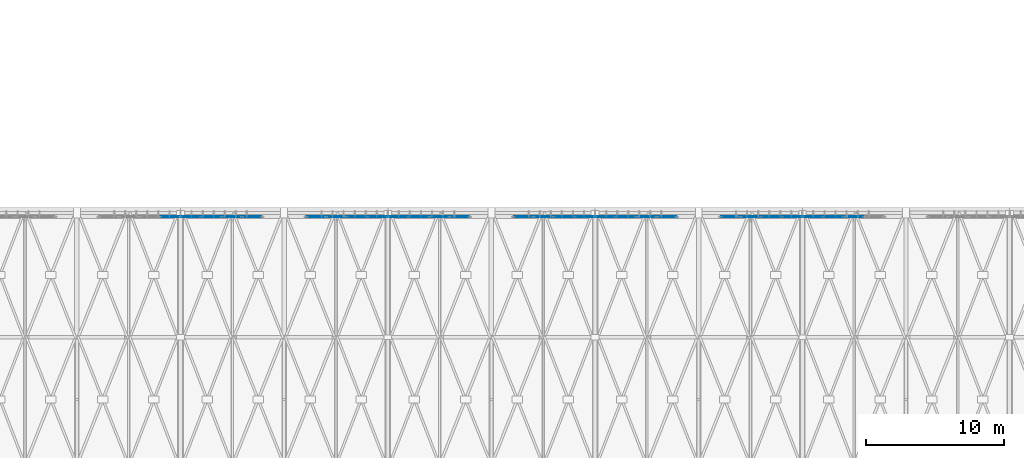
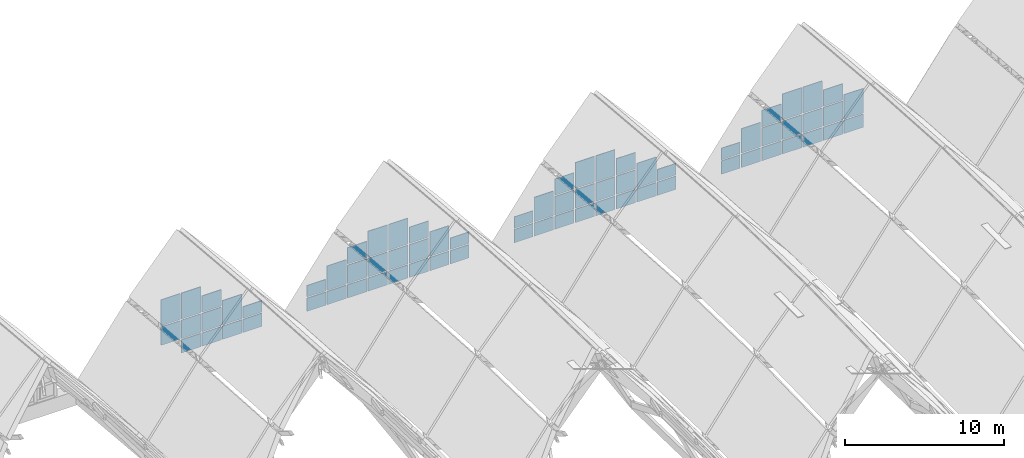
# One storey, part 63 of 93: 70 plates, 4 elements without a shape of their own.
"""IFC4 building model written with IfcOpenShell, lengths in metres."""

from ifc_helpers import new_model, si_unit, direction, frame, origin, origin_2d, place, context, subcontext, project, spatial, rectangle, extrude, material, layer, layer_set, type_object, element, aggregate, save


model = new_model("IFC4")

# Units and contexts
model_context = context("Model", 3, precision=1e-05, world=origin(), true_north=direction((0.0, 1.0)))
body_context = subcontext(model_context, "Body", "Model", "MODEL_VIEW")
ifc_project = project(units=[si_unit("LENGTHUNIT", "METRE"), si_unit("AREAUNIT", "SQUARE_METRE"), si_unit("VOLUMEUNIT", "CUBIC_METRE"), si_unit("PLANEANGLEUNIT", "RADIAN"), si_unit("MASSUNIT", "GRAM", prefix="KILO")], contexts=[model_context])

# Site, building, storey
site_placement = place(None, origin())
site = spatial("IfcSite", under=ifc_project, at=site_placement, CompositionType="ELEMENT")
building_placement = place(site_placement, origin())
building = spatial("IfcBuilding", under=site, at=building_placement, Name="Vourika Railside Aquatics Centre", CompositionType="ELEMENT")
storey_placement = place(building_placement, frame((0.0, 0.0, 21.89990234375)))
storey = spatial("IfcBuildingStorey", under=building, at=storey_placement, Name="Roof", CompositionType="ELEMENT", Elevation=21.89990234375)

# Curtain wall, plates
ifc_material_1 = material(Name="Anodized thermally broken aluminium", Category="aluminium")
curtain_wall_type_1 = type_object("IfcCurtainWallType", Name="CW-VLTN1", PredefinedType="NOTDEFINED", material=ifc_material_1)
curtain_wall_1_placement = place(storey_placement, origin())
curtain_wall_1 = element("IfcCurtainWall", 1, at=curtain_wall_1_placement, inside=storey, type_object=curtain_wall_type_1, Name="North Courtyard Pointed-Arch Curtain Wall Bay 6", PredefinedType="NOTDEFINED")
ifc_material_2 = material(Name="Low-E solar-control laminated double glazing", Category="glass")
ifc_layer_1 = layer(ifc_material_2, 0.048095703125, Name="CWP-VLTN1")
ifc_layer_set_1 = layer_set([ifc_layer_1], Name="Low-E solar-control laminated double glazing")
plate_type_1 = type_object("IfcPlateType", Name="CWP-VLTN1", PredefinedType="CURTAIN_PANEL", material=ifc_layer_set_1)
plate_1_placement = place(storey_placement, frame((122.21875, 65.719970703125, -11.014892578125), z_axis=(0.0, 0.0, 1.0), x_axis=(-1.0, 0.0, 0.0)))
plate_1 = element("IfcPlate", 2, at=plate_1_placement, type_object=plate_type_1, Name="CW01 glazed panel 2.1", PredefinedType="CURTAIN_PANEL", context=body_context, shape_type="SweptSolid", body=[
    extrude(rectangle(XDim=1.402587890625, YDim=0.048095703125, at=origin_2d()), origin(), (0.0, 0.0, 1.0), 1.0224609375),
])
plate_2_placement = place(storey_placement, frame((122.21875, 65.719970703125, -9.907470703125), z_axis=(0.0, 0.0, 1.0), x_axis=(-1.0, 0.0, 0.0)))
plate_2 = element("IfcPlate", 3, at=plate_2_placement, type_object=plate_type_1, Name="CW01 glazed panel 2.2", PredefinedType="CURTAIN_PANEL", context=body_context, shape_type="SweptSolid", body=[
    extrude(rectangle(XDim=1.402587890625, YDim=0.048095703125, at=origin_2d()), origin(), (0.0, 0.0, 1.0), 1.87548828125),
])
plate_3_placement = place(storey_placement, frame((120.731201171875, 65.719970703125, -11.014892578125), z_axis=(0.0, 0.0, 1.0), x_axis=(-1.0, 0.0, 0.0)))
plate_3 = element("IfcPlate", 4, at=plate_3_placement, type_object=plate_type_1, Name="CW01 glazed panel 3.1", PredefinedType="CURTAIN_PANEL", context=body_context, shape_type="SweptSolid", body=[
    extrude(rectangle(XDim=1.402587890625, YDim=0.048095703125, at=origin_2d()), origin(), (0.0, 0.0, 1.0), 1.0224609375),
])
plate_4_placement = place(storey_placement, frame((120.731201171875, 65.719970703125, -9.907470703125), z_axis=(0.0, 0.0, 1.0), x_axis=(-1.0, 0.0, 0.0)))
plate_4 = element("IfcPlate", 5, at=plate_4_placement, type_object=plate_type_1, Name="CW01 glazed panel 3.2", PredefinedType="CURTAIN_PANEL", context=body_context, shape_type="SweptSolid", body=[
    extrude(rectangle(XDim=1.402587890625, YDim=0.048095703125, at=origin_2d()), origin(), (0.0, 0.0, 1.0), 1.4150390625),
])
plate_5_placement = place(storey_placement, frame((120.731201171875, 65.719970703125, -8.4072265625), z_axis=(0.0, 0.0, 1.0), x_axis=(-1.0, 0.0, 0.0)))
plate_5 = element("IfcPlate", 6, at=plate_5_placement, type_object=plate_type_1, Name="CW01 glazed panel 3.3", PredefinedType="CURTAIN_PANEL", context=body_context, shape_type="SweptSolid", body=[
    extrude(rectangle(XDim=1.402587890625, YDim=0.048095703125, at=origin_2d()), origin(), (0.0, 0.0, 1.0), 1.255615234375),
])
plate_6_placement = place(storey_placement, frame((119.24365234375, 65.719970703125, -11.014892578125), z_axis=(0.0, 0.0, 1.0), x_axis=(-1.0, 0.0, 0.0)))
plate_6 = element("IfcPlate", 7, at=plate_6_placement, type_object=plate_type_1, Name="CW01 glazed panel 4.1", PredefinedType="CURTAIN_PANEL", context=body_context, shape_type="SweptSolid", body=[
    extrude(rectangle(XDim=1.402587890625, YDim=0.048095703125, at=origin_2d()), origin(), (0.0, 0.0, 1.0), 1.0224609375),
])
plate_7_placement = place(storey_placement, frame((119.24365234375, 65.719970703125, -9.907470703125), z_axis=(0.0, 0.0, 1.0), x_axis=(-1.0, 0.0, 0.0)))
plate_7 = element("IfcPlate", 8, at=plate_7_placement, type_object=plate_type_1, Name="CW01 glazed panel 4.2", PredefinedType="CURTAIN_PANEL", context=body_context, shape_type="SweptSolid", body=[
    extrude(rectangle(XDim=1.402587890625, YDim=0.048095703125, at=origin_2d()), origin(), (0.0, 0.0, 1.0), 1.4150390625),
])
plate_8_placement = place(storey_placement, frame((119.24365234375, 65.719970703125, -8.4072265625), z_axis=(0.0, 0.0, 1.0), x_axis=(-1.0, 0.0, 0.0)))
plate_8 = element("IfcPlate", 9, at=plate_8_placement, type_object=plate_type_1, Name="CW01 glazed panel 4.3", PredefinedType="CURTAIN_PANEL", context=body_context, shape_type="SweptSolid", body=[
    extrude(rectangle(XDim=1.402587890625, YDim=0.048095703125, at=origin_2d()), origin(), (0.0, 0.0, 1.0), 1.992431640625),
])
plate_9_placement = place(storey_placement, frame((117.75634765625, 65.719970703125, -11.014892578125), z_axis=(0.0, 0.0, 1.0), x_axis=(-1.0, 0.0, 0.0)))
plate_9 = element("IfcPlate", 10, at=plate_9_placement, type_object=plate_type_1, Name="CW01 glazed panel 5.1", PredefinedType="CURTAIN_PANEL", context=body_context, shape_type="SweptSolid", body=[
    extrude(rectangle(XDim=1.402587890625, YDim=0.048095703125, at=origin_2d()), origin(), (0.0, 0.0, 1.0), 1.0224609375),
])
plate_10_placement = place(storey_placement, frame((117.75634765625, 65.719970703125, -9.907470703125), z_axis=(0.0, 0.0, 1.0), x_axis=(-1.0, 0.0, 0.0)))
plate_10 = element("IfcPlate", 11, at=plate_10_placement, type_object=plate_type_1, Name="CW01 glazed panel 5.2", PredefinedType="CURTAIN_PANEL", context=body_context, shape_type="SweptSolid", body=[
    extrude(rectangle(XDim=1.402587890625, YDim=0.048095703125, at=origin_2d()), origin(), (0.0, 0.0, 1.0), 1.4150390625),
])
plate_11_placement = place(storey_placement, frame((117.75634765625, 65.719970703125, -8.4072265625), z_axis=(0.0, 0.0, 1.0), x_axis=(-1.0, 0.0, 0.0)))
plate_11 = element("IfcPlate", 12, at=plate_11_placement, type_object=plate_type_1, Name="CW01 glazed panel 5.3", PredefinedType="CURTAIN_PANEL", context=body_context, shape_type="SweptSolid", body=[
    extrude(rectangle(XDim=1.402587890625, YDim=0.048095703125, at=origin_2d()), origin(), (0.0, 0.0, 1.0), 1.992431640625),
])
plate_12_placement = place(storey_placement, frame((116.268798828125, 65.719970703125, -11.014892578125), z_axis=(0.0, 0.0, 1.0), x_axis=(-1.0, 0.0, 0.0)))
plate_12 = element("IfcPlate", 13, at=plate_12_placement, type_object=plate_type_1, Name="CW01 glazed panel 6.1", PredefinedType="CURTAIN_PANEL", context=body_context, shape_type="SweptSolid", body=[
    extrude(rectangle(XDim=1.402587890625, YDim=0.048095703125, at=origin_2d()), origin(), (0.0, 0.0, 1.0), 1.0224609375),
])
plate_13_placement = place(storey_placement, frame((116.268798828125, 65.719970703125, -9.907470703125), z_axis=(0.0, 0.0, 1.0), x_axis=(-1.0, 0.0, 0.0)))
plate_13 = element("IfcPlate", 14, at=plate_13_placement, type_object=plate_type_1, Name="CW01 glazed panel 6.2", PredefinedType="CURTAIN_PANEL", context=body_context, shape_type="SweptSolid", body=[
    extrude(rectangle(XDim=1.402587890625, YDim=0.048095703125, at=origin_2d()), origin(), (0.0, 0.0, 1.0), 1.4150390625),
])
plate_14_placement = place(storey_placement, frame((116.268798828125, 65.719970703125, -8.4072265625), z_axis=(0.0, 0.0, 1.0), x_axis=(-1.0, 0.0, 0.0)))
plate_14 = element("IfcPlate", 15, at=plate_14_placement, type_object=plate_type_1, Name="CW01 glazed panel 6.3", PredefinedType="CURTAIN_PANEL", context=body_context, shape_type="SweptSolid", body=[
    extrude(rectangle(XDim=1.402587890625, YDim=0.048095703125, at=origin_2d()), origin(), (0.0, 0.0, 1.0), 1.255615234375),
])
plate_15_placement = place(storey_placement, frame((114.78125, 65.719970703125, -11.014892578125), z_axis=(0.0, 0.0, 1.0), x_axis=(-1.0, 0.0, 0.0)))
plate_15 = element("IfcPlate", 16, at=plate_15_placement, type_object=plate_type_1, Name="CW01 glazed panel 7.1", PredefinedType="CURTAIN_PANEL", context=body_context, shape_type="SweptSolid", body=[
    extrude(rectangle(XDim=1.402587890625, YDim=0.048095703125, at=origin_2d()), origin(), (0.0, 0.0, 1.0), 1.0224609375),
])
plate_16_placement = place(storey_placement, frame((114.78125, 65.719970703125, -9.907470703125), z_axis=(0.0, 0.0, 1.0), x_axis=(-1.0, 0.0, 0.0)))
plate_16 = element("IfcPlate", 17, at=plate_16_placement, type_object=plate_type_1, Name="CW01 glazed panel 7.2", PredefinedType="CURTAIN_PANEL", context=body_context, shape_type="SweptSolid", body=[
    extrude(rectangle(XDim=1.402587890625, YDim=0.048095703125, at=origin_2d()), origin(), (0.0, 0.0, 1.0), 1.87548828125),
])
plate_17_placement = place(storey_placement, frame((113.31494140625, 65.719970703125, -11.014892578125), z_axis=(0.0, 0.0, 1.0), x_axis=(-1.0, 0.0, 0.0)))
plate_17 = element("IfcPlate", 18, at=plate_17_placement, type_object=plate_type_1, Name="CW01 glazed panel 8.1", PredefinedType="CURTAIN_PANEL", context=body_context, shape_type="SweptSolid", body=[
    extrude(rectangle(XDim=1.360107421875, YDim=0.048095703125, at=origin_2d()), origin(), (0.0, 0.0, 1.0), 1.0224609375),
])
plate_18_placement = place(storey_placement, frame((113.31494140625, 65.719970703125, -9.9072265625), z_axis=(0.0, 0.0, 1.0), x_axis=(-1.0, 0.0, 0.0)))
plate_18 = element("IfcPlate", 19, at=plate_18_placement, type_object=plate_type_1, Name="CW01 glazed panel 8.2", PredefinedType="CURTAIN_PANEL", context=body_context, shape_type="SweptSolid", body=[
    extrude(rectangle(XDim=1.360107421875, YDim=0.048095703125, at=origin_2d()), origin(), (0.0, 0.0, 1.0), 0.884521484375),
])
aggregate(curtain_wall_1, [plate_1, plate_2, plate_3, plate_4, plate_5, plate_6, plate_7, plate_8, plate_9, plate_10, plate_11, plate_12, plate_13, plate_14, plate_15, plate_16, plate_17, plate_18])

curtain_wall_type_2 = type_object("IfcCurtainWallType", Name="CW-VLTN2", PredefinedType="NOTDEFINED", material=ifc_material_1)
curtain_wall_2_placement = place(storey_placement, origin())
curtain_wall_2 = element("IfcCurtainWall", 20, at=curtain_wall_2_placement, inside=storey, type_object=curtain_wall_type_2, Name="North Courtyard Pointed-Arch Curtain Wall Bay 3", PredefinedType="NOTDEFINED")
ifc_layer_2 = layer(ifc_material_2, 0.055908203125, Name="CWP-VLTN2")
ifc_layer_set_2 = layer_set([ifc_layer_2], Name="Low-E solar-control laminated double glazing")
plate_type_2 = type_object("IfcPlateType", Name="CWP-VLTN2", PredefinedType="CURTAIN_PANEL", material=ifc_layer_set_2)
plate_19_placement = place(storey_placement, frame((78.683837890625, 65.719970703125, -11.009765625), z_axis=(0.0, 0.0, 1.0), x_axis=(-1.0, 0.0, 0.0)))
plate_19 = element("IfcPlate", 21, at=plate_19_placement, type_object=plate_type_2, Name="CW02 glazed panel 1.1", PredefinedType="CURTAIN_PANEL", context=body_context, shape_type="SweptSolid", body=[
    extrude(rectangle(XDim=1.3525390625, YDim=0.055908203125, at=origin_2d()), origin(), (0.0, 0.0, 1.0), 1.014892578125),
])
plate_20_placement = place(storey_placement, frame((78.683837890625, 65.719970703125, -9.90478515625), z_axis=(0.0, 0.0, 1.0), x_axis=(-1.0, 0.0, 0.0)))
plate_20 = element("IfcPlate", 22, at=plate_20_placement, type_object=plate_type_2, Name="CW02 glazed panel 1.2", PredefinedType="CURTAIN_PANEL", context=body_context, shape_type="SweptSolid", body=[
    extrude(rectangle(XDim=1.3525390625, YDim=0.055908203125, at=origin_2d()), origin(), (0.0, 0.0, 1.0), 0.881103515625),
])
plate_21_placement = place(storey_placement, frame((77.21875, 65.719970703125, -11.009765625), z_axis=(0.0, 0.0, 1.0), x_axis=(-1.0, 0.0, 0.0)))
plate_21 = element("IfcPlate", 23, at=plate_21_placement, type_object=plate_type_2, Name="CW02 glazed panel 2.1", PredefinedType="CURTAIN_PANEL", context=body_context, shape_type="SweptSolid", body=[
    extrude(rectangle(XDim=1.3974609375, YDim=0.055908203125, at=origin_2d()), origin(), (0.0, 0.0, 1.0), 1.014892578125),
])
plate_22_placement = place(storey_placement, frame((77.21875, 65.719970703125, -9.905029296875), z_axis=(0.0, 0.0, 1.0), x_axis=(-1.0, 0.0, 0.0)))
plate_22 = element("IfcPlate", 24, at=plate_22_placement, type_object=plate_type_2, Name="CW02 glazed panel 2.2", PredefinedType="CURTAIN_PANEL", context=body_context, shape_type="SweptSolid", body=[
    extrude(rectangle(XDim=1.3974609375, YDim=0.055908203125, at=origin_2d()), origin(), (0.0, 0.0, 1.0), 1.8701171875),
])
plate_23_placement = place(storey_placement, frame((75.731201171875, 65.719970703125, -11.009765625), z_axis=(0.0, 0.0, 1.0), x_axis=(-1.0, 0.0, 0.0)))
plate_23 = element("IfcPlate", 25, at=plate_23_placement, type_object=plate_type_2, Name="CW02 glazed panel 3.1", PredefinedType="CURTAIN_PANEL", context=body_context, shape_type="SweptSolid", body=[
    extrude(rectangle(XDim=1.3974609375, YDim=0.055908203125, at=origin_2d()), origin(), (0.0, 0.0, 1.0), 1.014892578125),
])
plate_24_placement = place(storey_placement, frame((75.731201171875, 65.719970703125, -9.90478515625), z_axis=(0.0, 0.0, 1.0), x_axis=(-1.0, 0.0, 0.0)))
plate_24 = element("IfcPlate", 26, at=plate_24_placement, type_object=plate_type_2, Name="CW02 glazed panel 3.2", PredefinedType="CURTAIN_PANEL", context=body_context, shape_type="SweptSolid", body=[
    extrude(rectangle(XDim=1.3974609375, YDim=0.055908203125, at=origin_2d()), origin(), (0.0, 0.0, 1.0), 1.409912109375),
])
plate_25_placement = place(storey_placement, frame((75.731201171875, 65.719970703125, -8.405029296875), z_axis=(0.0, 0.0, 1.0), x_axis=(-1.0, 0.0, 0.0)))
plate_25 = element("IfcPlate", 27, at=plate_25_placement, type_object=plate_type_2, Name="CW02 glazed panel 3.3", PredefinedType="CURTAIN_PANEL", context=body_context, shape_type="SweptSolid", body=[
    extrude(rectangle(XDim=1.3974609375, YDim=0.055908203125, at=origin_2d()), origin(), (0.0, 0.0, 1.0), 1.2490234375),
])
plate_26_placement = place(storey_placement, frame((74.24365234375, 65.719970703125, -11.009765625), z_axis=(0.0, 0.0, 1.0), x_axis=(-1.0, 0.0, 0.0)))
plate_26 = element("IfcPlate", 28, at=plate_26_placement, type_object=plate_type_2, Name="CW02 glazed panel 4.1", PredefinedType="CURTAIN_PANEL", context=body_context, shape_type="SweptSolid", body=[
    extrude(rectangle(XDim=1.3974609375, YDim=0.055908203125, at=origin_2d()), origin(), (0.0, 0.0, 1.0), 1.014892578125),
])
plate_27_placement = place(storey_placement, frame((74.24365234375, 65.719970703125, -9.90478515625), z_axis=(0.0, 0.0, 1.0), x_axis=(-1.0, 0.0, 0.0)))
plate_27 = element("IfcPlate", 29, at=plate_27_placement, type_object=plate_type_2, Name="CW02 glazed panel 4.2", PredefinedType="CURTAIN_PANEL", context=body_context, shape_type="SweptSolid", body=[
    extrude(rectangle(XDim=1.3974609375, YDim=0.055908203125, at=origin_2d()), origin(), (0.0, 0.0, 1.0), 1.409912109375),
])
plate_28_placement = place(storey_placement, frame((74.24365234375, 65.719970703125, -8.40478515625), z_axis=(0.0, 0.0, 1.0), x_axis=(-1.0, 0.0, 0.0)))
plate_28 = element("IfcPlate", 30, at=plate_28_placement, type_object=plate_type_2, Name="CW02 glazed panel 4.3", PredefinedType="CURTAIN_PANEL", context=body_context, shape_type="SweptSolid", body=[
    extrude(rectangle(XDim=1.3974609375, YDim=0.055908203125, at=origin_2d()), origin(), (0.0, 0.0, 1.0), 1.986083984375),
])
plate_29_placement = place(storey_placement, frame((72.75634765625, 65.719970703125, -9.90478515625), z_axis=(0.0, 0.0, 1.0), x_axis=(-1.0, 0.0, 0.0)))
plate_29 = element("IfcPlate", 31, at=plate_29_placement, type_object=plate_type_2, Name="CW02 glazed panel 5.2", PredefinedType="CURTAIN_PANEL", context=body_context, shape_type="SweptSolid", body=[
    extrude(rectangle(XDim=1.3974609375, YDim=0.055908203125, at=origin_2d()), origin(), (0.0, 0.0, 1.0), 1.409912109375),
])
plate_30_placement = place(storey_placement, frame((72.75634765625, 65.719970703125, -8.40478515625), z_axis=(0.0, 0.0, 1.0), x_axis=(-1.0, 0.0, 0.0)))
plate_30 = element("IfcPlate", 32, at=plate_30_placement, type_object=plate_type_2, Name="CW02 glazed panel 5.3", PredefinedType="CURTAIN_PANEL", context=body_context, shape_type="SweptSolid", body=[
    extrude(rectangle(XDim=1.3974609375, YDim=0.055908203125, at=origin_2d()), origin(), (0.0, 0.0, 1.0), 1.986083984375),
])
aggregate(curtain_wall_2, [plate_19, plate_20, plate_21, plate_22, plate_23, plate_24, plate_25, plate_26, plate_27, plate_28, plate_29, plate_30])

curtain_wall_3_placement = place(storey_placement, origin())
curtain_wall_3 = element("IfcCurtainWall", 33, at=curtain_wall_3_placement, inside=storey, type_object=curtain_wall_type_2, Name="North Courtyard Pointed-Arch Curtain Wall Bay 4", PredefinedType="NOTDEFINED")
plate_31_placement = place(storey_placement, frame((93.683837890625, 65.719970703125, -11.009765625), z_axis=(0.0, 0.0, 1.0), x_axis=(-1.0, 0.0, 0.0)))
plate_31 = element("IfcPlate", 34, at=plate_31_placement, type_object=plate_type_2, Name="CW02 glazed panel 1.1", PredefinedType="CURTAIN_PANEL", context=body_context, shape_type="SweptSolid", body=[
    extrude(rectangle(XDim=1.3525390625, YDim=0.055908203125, at=origin_2d()), origin(), (0.0, 0.0, 1.0), 1.014892578125),
])
plate_32_placement = place(storey_placement, frame((93.683837890625, 65.719970703125, -9.90478515625), z_axis=(0.0, 0.0, 1.0), x_axis=(-1.0, 0.0, 0.0)))
plate_32 = element("IfcPlate", 35, at=plate_32_placement, type_object=plate_type_2, Name="CW02 glazed panel 1.2", PredefinedType="CURTAIN_PANEL", context=body_context, shape_type="SweptSolid", body=[
    extrude(rectangle(XDim=1.3525390625, YDim=0.055908203125, at=origin_2d()), origin(), (0.0, 0.0, 1.0), 0.881103515625),
])
plate_33_placement = place(storey_placement, frame((92.21875, 65.719970703125, -11.009765625), z_axis=(0.0, 0.0, 1.0), x_axis=(-1.0, 0.0, 0.0)))
plate_33 = element("IfcPlate", 36, at=plate_33_placement, type_object=plate_type_2, Name="CW02 glazed panel 2.1", PredefinedType="CURTAIN_PANEL", context=body_context, shape_type="SweptSolid", body=[
    extrude(rectangle(XDim=1.3974609375, YDim=0.055908203125, at=origin_2d()), origin(), (0.0, 0.0, 1.0), 1.014892578125),
])
plate_34_placement = place(storey_placement, frame((92.21875, 65.719970703125, -9.905029296875), z_axis=(0.0, 0.0, 1.0), x_axis=(-1.0, 0.0, 0.0)))
plate_34 = element("IfcPlate", 37, at=plate_34_placement, type_object=plate_type_2, Name="CW02 glazed panel 2.2", PredefinedType="CURTAIN_PANEL", context=body_context, shape_type="SweptSolid", body=[
    extrude(rectangle(XDim=1.3974609375, YDim=0.055908203125, at=origin_2d()), origin(), (0.0, 0.0, 1.0), 1.8701171875),
])
plate_35_placement = place(storey_placement, frame((90.731201171875, 65.719970703125, -11.009765625), z_axis=(0.0, 0.0, 1.0), x_axis=(-1.0, 0.0, 0.0)))
plate_35 = element("IfcPlate", 38, at=plate_35_placement, type_object=plate_type_2, Name="CW02 glazed panel 3.1", PredefinedType="CURTAIN_PANEL", context=body_context, shape_type="SweptSolid", body=[
    extrude(rectangle(XDim=1.3974609375, YDim=0.055908203125, at=origin_2d()), origin(), (0.0, 0.0, 1.0), 1.014892578125),
])
plate_36_placement = place(storey_placement, frame((90.731201171875, 65.719970703125, -9.90478515625), z_axis=(0.0, 0.0, 1.0), x_axis=(-1.0, 0.0, 0.0)))
plate_36 = element("IfcPlate", 39, at=plate_36_placement, type_object=plate_type_2, Name="CW02 glazed panel 3.2", PredefinedType="CURTAIN_PANEL", context=body_context, shape_type="SweptSolid", body=[
    extrude(rectangle(XDim=1.3974609375, YDim=0.055908203125, at=origin_2d()), origin(), (0.0, 0.0, 1.0), 1.409912109375),
])
plate_37_placement = place(storey_placement, frame((90.731201171875, 65.719970703125, -8.405029296875), z_axis=(0.0, 0.0, 1.0), x_axis=(-1.0, 0.0, 0.0)))
plate_37 = element("IfcPlate", 40, at=plate_37_placement, type_object=plate_type_2, Name="CW02 glazed panel 3.3", PredefinedType="CURTAIN_PANEL", context=body_context, shape_type="SweptSolid", body=[
    extrude(rectangle(XDim=1.3974609375, YDim=0.055908203125, at=origin_2d()), origin(), (0.0, 0.0, 1.0), 1.2490234375),
])
plate_38_placement = place(storey_placement, frame((89.24365234375, 65.719970703125, -11.009765625), z_axis=(0.0, 0.0, 1.0), x_axis=(-1.0, 0.0, 0.0)))
plate_38 = element("IfcPlate", 41, at=plate_38_placement, type_object=plate_type_2, Name="CW02 glazed panel 4.1", PredefinedType="CURTAIN_PANEL", context=body_context, shape_type="SweptSolid", body=[
    extrude(rectangle(XDim=1.3974609375, YDim=0.055908203125, at=origin_2d()), origin(), (0.0, 0.0, 1.0), 1.014892578125),
])
plate_39_placement = place(storey_placement, frame((89.24365234375, 65.719970703125, -9.90478515625), z_axis=(0.0, 0.0, 1.0), x_axis=(-1.0, 0.0, 0.0)))
plate_39 = element("IfcPlate", 42, at=plate_39_placement, type_object=plate_type_2, Name="CW02 glazed panel 4.2", PredefinedType="CURTAIN_PANEL", context=body_context, shape_type="SweptSolid", body=[
    extrude(rectangle(XDim=1.3974609375, YDim=0.055908203125, at=origin_2d()), origin(), (0.0, 0.0, 1.0), 1.409912109375),
])
plate_40_placement = place(storey_placement, frame((89.24365234375, 65.719970703125, -8.40478515625), z_axis=(0.0, 0.0, 1.0), x_axis=(-1.0, 0.0, 0.0)))
plate_40 = element("IfcPlate", 43, at=plate_40_placement, type_object=plate_type_2, Name="CW02 glazed panel 4.3", PredefinedType="CURTAIN_PANEL", context=body_context, shape_type="SweptSolid", body=[
    extrude(rectangle(XDim=1.3974609375, YDim=0.055908203125, at=origin_2d()), origin(), (0.0, 0.0, 1.0), 1.986083984375),
])
plate_41_placement = place(storey_placement, frame((87.75634765625, 65.719970703125, -11.009765625), z_axis=(0.0, 0.0, 1.0), x_axis=(-1.0, 0.0, 0.0)))
plate_41 = element("IfcPlate", 44, at=plate_41_placement, type_object=plate_type_2, Name="CW02 glazed panel 5.1", PredefinedType="CURTAIN_PANEL", context=body_context, shape_type="SweptSolid", body=[
    extrude(rectangle(XDim=1.3974609375, YDim=0.055908203125, at=origin_2d()), origin(), (0.0, 0.0, 1.0), 1.014892578125),
])
plate_42_placement = place(storey_placement, frame((87.75634765625, 65.719970703125, -9.90478515625), z_axis=(0.0, 0.0, 1.0), x_axis=(-1.0, 0.0, 0.0)))
plate_42 = element("IfcPlate", 45, at=plate_42_placement, type_object=plate_type_2, Name="CW02 glazed panel 5.2", PredefinedType="CURTAIN_PANEL", context=body_context, shape_type="SweptSolid", body=[
    extrude(rectangle(XDim=1.3974609375, YDim=0.055908203125, at=origin_2d()), origin(), (0.0, 0.0, 1.0), 1.409912109375),
])
plate_43_placement = place(storey_placement, frame((87.75634765625, 65.719970703125, -8.40478515625), z_axis=(0.0, 0.0, 1.0), x_axis=(-1.0, 0.0, 0.0)))
plate_43 = element("IfcPlate", 46, at=plate_43_placement, type_object=plate_type_2, Name="CW02 glazed panel 5.3", PredefinedType="CURTAIN_PANEL", context=body_context, shape_type="SweptSolid", body=[
    extrude(rectangle(XDim=1.3974609375, YDim=0.055908203125, at=origin_2d()), origin(), (0.0, 0.0, 1.0), 1.986083984375),
])
plate_44_placement = place(storey_placement, frame((86.268798828125, 65.719970703125, -11.009765625), z_axis=(0.0, 0.0, 1.0), x_axis=(-1.0, 0.0, 0.0)))
plate_44 = element("IfcPlate", 47, at=plate_44_placement, type_object=plate_type_2, Name="CW02 glazed panel 6.1", PredefinedType="CURTAIN_PANEL", context=body_context, shape_type="SweptSolid", body=[
    extrude(rectangle(XDim=1.3974609375, YDim=0.055908203125, at=origin_2d()), origin(), (0.0, 0.0, 1.0), 1.014892578125),
])
plate_45_placement = place(storey_placement, frame((86.268798828125, 65.719970703125, -9.90478515625), z_axis=(0.0, 0.0, 1.0), x_axis=(-1.0, 0.0, 0.0)))
plate_45 = element("IfcPlate", 48, at=plate_45_placement, type_object=plate_type_2, Name="CW02 glazed panel 6.2", PredefinedType="CURTAIN_PANEL", context=body_context, shape_type="SweptSolid", body=[
    extrude(rectangle(XDim=1.3974609375, YDim=0.055908203125, at=origin_2d()), origin(), (0.0, 0.0, 1.0), 1.409912109375),
])
plate_46_placement = place(storey_placement, frame((86.268798828125, 65.719970703125, -8.405029296875), z_axis=(0.0, 0.0, 1.0), x_axis=(-1.0, 0.0, 0.0)))
plate_46 = element("IfcPlate", 49, at=plate_46_placement, type_object=plate_type_2, Name="CW02 glazed panel 6.3", PredefinedType="CURTAIN_PANEL", context=body_context, shape_type="SweptSolid", body=[
    extrude(rectangle(XDim=1.3974609375, YDim=0.055908203125, at=origin_2d()), origin(), (0.0, 0.0, 1.0), 1.2490234375),
])
plate_47_placement = place(storey_placement, frame((84.78125, 65.719970703125, -11.009765625), z_axis=(0.0, 0.0, 1.0), x_axis=(-1.0, 0.0, 0.0)))
plate_47 = element("IfcPlate", 50, at=plate_47_placement, type_object=plate_type_2, Name="CW02 glazed panel 7.1", PredefinedType="CURTAIN_PANEL", context=body_context, shape_type="SweptSolid", body=[
    extrude(rectangle(XDim=1.3974609375, YDim=0.055908203125, at=origin_2d()), origin(), (0.0, 0.0, 1.0), 1.014892578125),
])
plate_48_placement = place(storey_placement, frame((84.78125, 65.719970703125, -9.905029296875), z_axis=(0.0, 0.0, 1.0), x_axis=(-1.0, 0.0, 0.0)))
plate_48 = element("IfcPlate", 51, at=plate_48_placement, type_object=plate_type_2, Name="CW02 glazed panel 7.2", PredefinedType="CURTAIN_PANEL", context=body_context, shape_type="SweptSolid", body=[
    extrude(rectangle(XDim=1.3974609375, YDim=0.055908203125, at=origin_2d()), origin(), (0.0, 0.0, 1.0), 1.8701171875),
])
plate_49_placement = place(storey_placement, frame((83.316162109375, 65.719970703125, -11.009765625), z_axis=(0.0, 0.0, 1.0), x_axis=(-1.0, 0.0, 0.0)))
plate_49 = element("IfcPlate", 52, at=plate_49_placement, type_object=plate_type_2, Name="CW02 glazed panel 8.1", PredefinedType="CURTAIN_PANEL", context=body_context, shape_type="SweptSolid", body=[
    extrude(rectangle(XDim=1.3525390625, YDim=0.055908203125, at=origin_2d()), origin(), (0.0, 0.0, 1.0), 1.014892578125),
])
plate_50_placement = place(storey_placement, frame((83.316162109375, 65.719970703125, -9.90478515625), z_axis=(0.0, 0.0, 1.0), x_axis=(-1.0, 0.0, 0.0)))
plate_50 = element("IfcPlate", 53, at=plate_50_placement, type_object=plate_type_2, Name="CW02 glazed panel 8.2", PredefinedType="CURTAIN_PANEL", context=body_context, shape_type="SweptSolid", body=[
    extrude(rectangle(XDim=1.3525390625, YDim=0.055908203125, at=origin_2d()), origin(), (0.0, 0.0, 1.0), 0.881103515625),
])
aggregate(curtain_wall_3, [plate_31, plate_32, plate_33, plate_34, plate_35, plate_36, plate_37, plate_38, plate_39, plate_40, plate_41, plate_42, plate_43, plate_44, plate_45, plate_46, plate_47, plate_48, plate_49, plate_50])

curtain_wall_4_placement = place(storey_placement, origin())
curtain_wall_4 = element("IfcCurtainWall", 54, at=curtain_wall_4_placement, inside=storey, type_object=curtain_wall_type_2, Name="North Courtyard Pointed-Arch Curtain Wall Bay 5", PredefinedType="NOTDEFINED")
plate_51_placement = place(storey_placement, frame((108.683837890625, 65.719970703125, -11.009765625), z_axis=(0.0, 0.0, 1.0), x_axis=(-1.0, 0.0, 0.0)))
plate_51 = element("IfcPlate", 55, at=plate_51_placement, type_object=plate_type_2, Name="CW02 glazed panel 1.1", PredefinedType="CURTAIN_PANEL", context=body_context, shape_type="SweptSolid", body=[
    extrude(rectangle(XDim=1.3525390625, YDim=0.055908203125, at=origin_2d()), origin(), (0.0, 0.0, 1.0), 1.014892578125),
])
plate_52_placement = place(storey_placement, frame((108.683837890625, 65.719970703125, -9.90478515625), z_axis=(0.0, 0.0, 1.0), x_axis=(-1.0, 0.0, 0.0)))
plate_52 = element("IfcPlate", 56, at=plate_52_placement, type_object=plate_type_2, Name="CW02 glazed panel 1.2", PredefinedType="CURTAIN_PANEL", context=body_context, shape_type="SweptSolid", body=[
    extrude(rectangle(XDim=1.3525390625, YDim=0.055908203125, at=origin_2d()), origin(), (0.0, 0.0, 1.0), 0.881103515625),
])
plate_53_placement = place(storey_placement, frame((107.21875, 65.719970703125, -11.009765625), z_axis=(0.0, 0.0, 1.0), x_axis=(-1.0, 0.0, 0.0)))
plate_53 = element("IfcPlate", 57, at=plate_53_placement, type_object=plate_type_2, Name="CW02 glazed panel 2.1", PredefinedType="CURTAIN_PANEL", context=body_context, shape_type="SweptSolid", body=[
    extrude(rectangle(XDim=1.3974609375, YDim=0.055908203125, at=origin_2d()), origin(), (0.0, 0.0, 1.0), 1.014892578125),
])
plate_54_placement = place(storey_placement, frame((107.21875, 65.719970703125, -9.905029296875), z_axis=(0.0, 0.0, 1.0), x_axis=(-1.0, 0.0, 0.0)))
plate_54 = element("IfcPlate", 58, at=plate_54_placement, type_object=plate_type_2, Name="CW02 glazed panel 2.2", PredefinedType="CURTAIN_PANEL", context=body_context, shape_type="SweptSolid", body=[
    extrude(rectangle(XDim=1.3974609375, YDim=0.055908203125, at=origin_2d()), origin(), (0.0, 0.0, 1.0), 1.8701171875),
])
plate_55_placement = place(storey_placement, frame((105.731201171875, 65.719970703125, -11.009765625), z_axis=(0.0, 0.0, 1.0), x_axis=(-1.0, 0.0, 0.0)))
plate_55 = element("IfcPlate", 59, at=plate_55_placement, type_object=plate_type_2, Name="CW02 glazed panel 3.1", PredefinedType="CURTAIN_PANEL", context=body_context, shape_type="SweptSolid", body=[
    extrude(rectangle(XDim=1.3974609375, YDim=0.055908203125, at=origin_2d()), origin(), (0.0, 0.0, 1.0), 1.014892578125),
])
plate_56_placement = place(storey_placement, frame((105.731201171875, 65.719970703125, -9.90478515625), z_axis=(0.0, 0.0, 1.0), x_axis=(-1.0, 0.0, 0.0)))
plate_56 = element("IfcPlate", 60, at=plate_56_placement, type_object=plate_type_2, Name="CW02 glazed panel 3.2", PredefinedType="CURTAIN_PANEL", context=body_context, shape_type="SweptSolid", body=[
    extrude(rectangle(XDim=1.3974609375, YDim=0.055908203125, at=origin_2d()), origin(), (0.0, 0.0, 1.0), 1.409912109375),
])
plate_57_placement = place(storey_placement, frame((105.731201171875, 65.719970703125, -8.405029296875), z_axis=(0.0, 0.0, 1.0), x_axis=(-1.0, 0.0, 0.0)))
plate_57 = element("IfcPlate", 61, at=plate_57_placement, type_object=plate_type_2, Name="CW02 glazed panel 3.3", PredefinedType="CURTAIN_PANEL", context=body_context, shape_type="SweptSolid", body=[
    extrude(rectangle(XDim=1.3974609375, YDim=0.055908203125, at=origin_2d()), origin(), (0.0, 0.0, 1.0), 1.2490234375),
])
plate_58_placement = place(storey_placement, frame((104.24365234375, 65.719970703125, -11.009765625), z_axis=(0.0, 0.0, 1.0), x_axis=(-1.0, 0.0, 0.0)))
plate_58 = element("IfcPlate", 62, at=plate_58_placement, type_object=plate_type_2, Name="CW02 glazed panel 4.1", PredefinedType="CURTAIN_PANEL", context=body_context, shape_type="SweptSolid", body=[
    extrude(rectangle(XDim=1.3974609375, YDim=0.055908203125, at=origin_2d()), origin(), (0.0, 0.0, 1.0), 1.014892578125),
])
plate_59_placement = place(storey_placement, frame((104.24365234375, 65.719970703125, -9.90478515625), z_axis=(0.0, 0.0, 1.0), x_axis=(-1.0, 0.0, 0.0)))
plate_59 = element("IfcPlate", 63, at=plate_59_placement, type_object=plate_type_2, Name="CW02 glazed panel 4.2", PredefinedType="CURTAIN_PANEL", context=body_context, shape_type="SweptSolid", body=[
    extrude(rectangle(XDim=1.3974609375, YDim=0.055908203125, at=origin_2d()), origin(), (0.0, 0.0, 1.0), 1.409912109375),
])
plate_60_placement = place(storey_placement, frame((104.24365234375, 65.719970703125, -8.40478515625), z_axis=(0.0, 0.0, 1.0), x_axis=(-1.0, 0.0, 0.0)))
plate_60 = element("IfcPlate", 64, at=plate_60_placement, type_object=plate_type_2, Name="CW02 glazed panel 4.3", PredefinedType="CURTAIN_PANEL", context=body_context, shape_type="SweptSolid", body=[
    extrude(rectangle(XDim=1.3974609375, YDim=0.055908203125, at=origin_2d()), origin(), (0.0, 0.0, 1.0), 1.986083984375),
])
plate_61_placement = place(storey_placement, frame((102.75634765625, 65.719970703125, -11.009765625), z_axis=(0.0, 0.0, 1.0), x_axis=(-1.0, 0.0, 0.0)))
plate_61 = element("IfcPlate", 65, at=plate_61_placement, type_object=plate_type_2, Name="CW02 glazed panel 5.1", PredefinedType="CURTAIN_PANEL", context=body_context, shape_type="SweptSolid", body=[
    extrude(rectangle(XDim=1.3974609375, YDim=0.055908203125, at=origin_2d()), origin(), (0.0, 0.0, 1.0), 1.014892578125),
])
plate_62_placement = place(storey_placement, frame((102.75634765625, 65.719970703125, -9.90478515625), z_axis=(0.0, 0.0, 1.0), x_axis=(-1.0, 0.0, 0.0)))
plate_62 = element("IfcPlate", 66, at=plate_62_placement, type_object=plate_type_2, Name="CW02 glazed panel 5.2", PredefinedType="CURTAIN_PANEL", context=body_context, shape_type="SweptSolid", body=[
    extrude(rectangle(XDim=1.3974609375, YDim=0.055908203125, at=origin_2d()), origin(), (0.0, 0.0, 1.0), 1.409912109375),
])
plate_63_placement = place(storey_placement, frame((102.75634765625, 65.719970703125, -8.40478515625), z_axis=(0.0, 0.0, 1.0), x_axis=(-1.0, 0.0, 0.0)))
plate_63 = element("IfcPlate", 67, at=plate_63_placement, type_object=plate_type_2, Name="CW02 glazed panel 5.3", PredefinedType="CURTAIN_PANEL", context=body_context, shape_type="SweptSolid", body=[
    extrude(rectangle(XDim=1.3974609375, YDim=0.055908203125, at=origin_2d()), origin(), (0.0, 0.0, 1.0), 1.986083984375),
])
plate_64_placement = place(storey_placement, frame((101.268798828125, 65.719970703125, -11.009765625), z_axis=(0.0, 0.0, 1.0), x_axis=(-1.0, 0.0, 0.0)))
plate_64 = element("IfcPlate", 68, at=plate_64_placement, type_object=plate_type_2, Name="CW02 glazed panel 6.1", PredefinedType="CURTAIN_PANEL", context=body_context, shape_type="SweptSolid", body=[
    extrude(rectangle(XDim=1.3974609375, YDim=0.055908203125, at=origin_2d()), origin(), (0.0, 0.0, 1.0), 1.014892578125),
])
plate_65_placement = place(storey_placement, frame((101.268798828125, 65.719970703125, -9.90478515625), z_axis=(0.0, 0.0, 1.0), x_axis=(-1.0, 0.0, 0.0)))
plate_65 = element("IfcPlate", 69, at=plate_65_placement, type_object=plate_type_2, Name="CW02 glazed panel 6.2", PredefinedType="CURTAIN_PANEL", context=body_context, shape_type="SweptSolid", body=[
    extrude(rectangle(XDim=1.3974609375, YDim=0.055908203125, at=origin_2d()), origin(), (0.0, 0.0, 1.0), 1.409912109375),
])
plate_66_placement = place(storey_placement, frame((101.268798828125, 65.719970703125, -8.405029296875), z_axis=(0.0, 0.0, 1.0), x_axis=(-1.0, 0.0, 0.0)))
plate_66 = element("IfcPlate", 70, at=plate_66_placement, type_object=plate_type_2, Name="CW02 glazed panel 6.3", PredefinedType="CURTAIN_PANEL", context=body_context, shape_type="SweptSolid", body=[
    extrude(rectangle(XDim=1.3974609375, YDim=0.055908203125, at=origin_2d()), origin(), (0.0, 0.0, 1.0), 1.2490234375),
])
plate_67_placement = place(storey_placement, frame((99.78125, 65.719970703125, -11.009765625), z_axis=(0.0, 0.0, 1.0), x_axis=(-1.0, 0.0, 0.0)))
plate_67 = element("IfcPlate", 71, at=plate_67_placement, type_object=plate_type_2, Name="CW02 glazed panel 7.1", PredefinedType="CURTAIN_PANEL", context=body_context, shape_type="SweptSolid", body=[
    extrude(rectangle(XDim=1.3974609375, YDim=0.055908203125, at=origin_2d()), origin(), (0.0, 0.0, 1.0), 1.014892578125),
])
plate_68_placement = place(storey_placement, frame((99.78125, 65.719970703125, -9.905029296875), z_axis=(0.0, 0.0, 1.0), x_axis=(-1.0, 0.0, 0.0)))
plate_68 = element("IfcPlate", 72, at=plate_68_placement, type_object=plate_type_2, Name="CW02 glazed panel 7.2", PredefinedType="CURTAIN_PANEL", context=body_context, shape_type="SweptSolid", body=[
    extrude(rectangle(XDim=1.3974609375, YDim=0.055908203125, at=origin_2d()), origin(), (0.0, 0.0, 1.0), 1.8701171875),
])
plate_69_placement = place(storey_placement, frame((98.316162109375, 65.719970703125, -11.009765625), z_axis=(0.0, 0.0, 1.0), x_axis=(-1.0, 0.0, 0.0)))
plate_69 = element("IfcPlate", 73, at=plate_69_placement, type_object=plate_type_2, Name="CW02 glazed panel 8.1", PredefinedType="CURTAIN_PANEL", context=body_context, shape_type="SweptSolid", body=[
    extrude(rectangle(XDim=1.3525390625, YDim=0.055908203125, at=origin_2d()), origin(), (0.0, 0.0, 1.0), 1.014892578125),
])
plate_70_placement = place(storey_placement, frame((98.316162109375, 65.719970703125, -9.90478515625), z_axis=(0.0, 0.0, 1.0), x_axis=(-1.0, 0.0, 0.0)))
plate_70 = element("IfcPlate", 74, at=plate_70_placement, type_object=plate_type_2, Name="CW02 glazed panel 8.2", PredefinedType="CURTAIN_PANEL", context=body_context, shape_type="SweptSolid", body=[
    extrude(rectangle(XDim=1.3525390625, YDim=0.055908203125, at=origin_2d()), origin(), (0.0, 0.0, 1.0), 0.881103515625),
])
aggregate(curtain_wall_4, [plate_51, plate_52, plate_53, plate_54, plate_55, plate_56, plate_57, plate_58, plate_59, plate_60, plate_61, plate_62, plate_63, plate_64, plate_65, plate_66, plate_67, plate_68, plate_69, plate_70])

save(model, "model.ifc")
